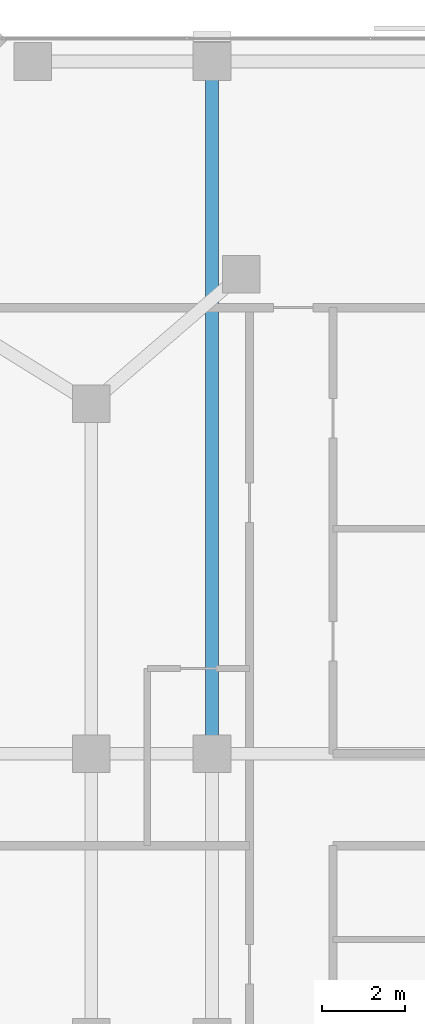
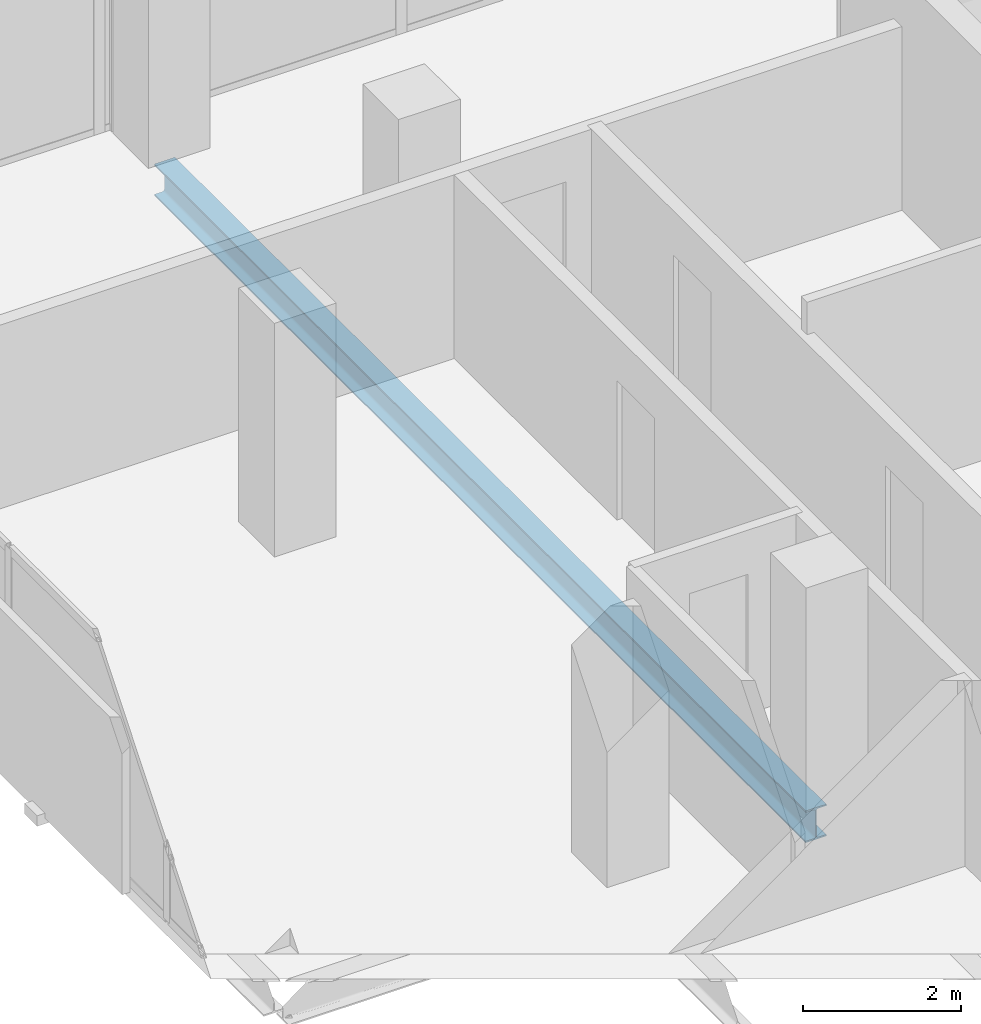
# One storey, part 18 of 35: 1 beam.
"""IFC4 building model written with IfcOpenShell, lengths in metres."""

from ifc_helpers import new_model, si_unit, direction, frame, origin, origin_2d, place, context, subcontext, project, spatial, i_section, extrude, material, material_profile, profile_set, type_object, element, save


model = new_model("IFC4")

# Units and contexts
model_context = context("Model", 3, precision=1e-05, world=origin(), true_north=direction((0.0, 1.0)))
body_context = subcontext(model_context, "Body", "Model", "MODEL_VIEW")
ifc_project = project(units=[si_unit("LENGTHUNIT", "METRE"), si_unit("AREAUNIT", "SQUARE_METRE"), si_unit("VOLUMEUNIT", "CUBIC_METRE"), si_unit("PLANEANGLEUNIT", "RADIAN"), si_unit("MASSUNIT", "GRAM", prefix="KILO")], contexts=[model_context])

# Site, building, storey
site_placement = place(None, origin())
site = spatial("IfcSite", under=ifc_project, at=site_placement, CompositionType="ELEMENT")
building_placement = place(site_placement, origin())
building = spatial("IfcBuilding", under=site, at=building_placement, Name="Catumbela Crestline Tower", CompositionType="ELEMENT")
storey_placement = place(building_placement, frame((0.0, 0.0, 90.0)))
storey = spatial("IfcBuildingStorey", under=building, at=storey_placement, Name="L22", CompositionType="ELEMENT", Elevation=90.0)

# Beam
ifc_material = material(Name="Structural steel S355J2", Category="steel")
ifc_material_profile = material_profile(ifc_material, i_section(OverallWidth=0.3, OverallDepth=0.49, WebThickness=0.012, FlangeThickness=0.023, FilletRadius=0.027, at=origin_2d()), Name="HEA 500")
ifc_profile_set = profile_set([ifc_material_profile], Name="Structural steel S355J2")
beam_type = type_object("IfcBeamType", Name="BG-HEA500", PredefinedType="BEAM", material=ifc_profile_set)
beam_placement = place(storey_placement, frame((8.5, 30.88, -0.505), z_axis=(0.0, 1.0, 0.0), x_axis=(-1.0, 0.0, 0.0)))
element("IfcBeam", 1, at=beam_placement, inside=storey, type_object=beam_type, Name="L22 Beam BM-L22-SN27", PredefinedType="BEAM", context=body_context, shape_type="SweptSolid", body=[
    extrude(i_section(OverallWidth=0.3, OverallDepth=0.49, WebThickness=0.012, FlangeThickness=0.023, FilletRadius=0.027, at=origin_2d()), origin(), (0.0, 0.0, 1.0), 16.44),
])

save(model, "model.ifc")
